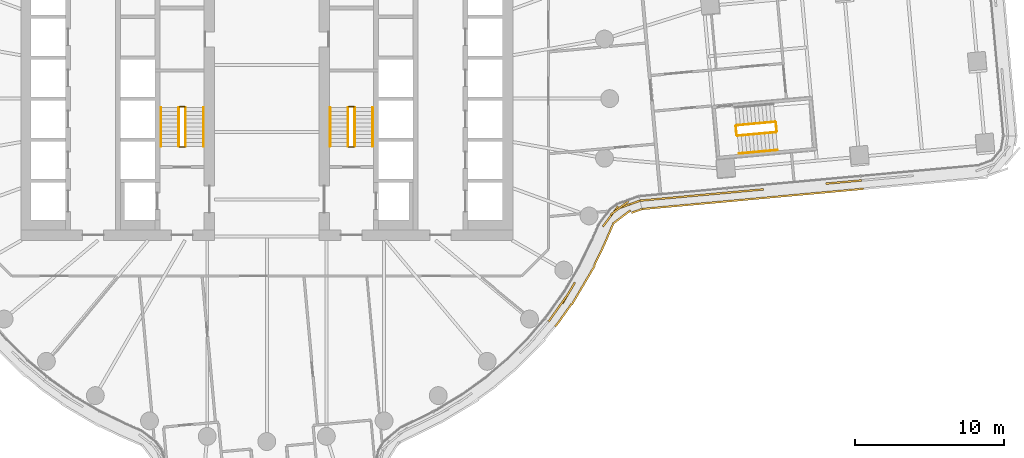
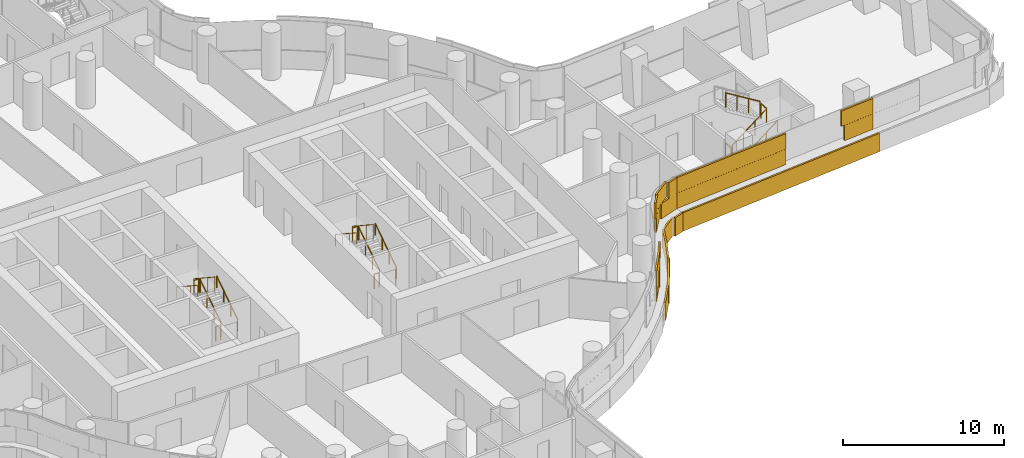
# One storey, part 28 of 31: 17 railings, 2 coverings.
"""IFC4 building model written with IfcOpenShell, lengths in metres."""

from ifc_helpers import new_model, si_unit, direction, frame, origin, origin_2d, place, context, subcontext, project, spatial, rectangle, circle, extrude, material, layer, layer_set, type_object, element, save


model = new_model("IFC4")

# Units and contexts
model_context = context("Model", 3, precision=1e-05, world=origin(), true_north=direction((0.0, 1.0)))
body_context = subcontext(model_context, "Body", "Model", "MODEL_VIEW")
ifc_project = project(units=[si_unit("LENGTHUNIT", "METRE"), si_unit("AREAUNIT", "SQUARE_METRE"), si_unit("VOLUMEUNIT", "CUBIC_METRE"), si_unit("PLANEANGLEUNIT", "RADIAN"), si_unit("MASSUNIT", "GRAM", prefix="KILO")], contexts=[model_context])

# Site, building, storey
site_placement = place(None, origin())
site = spatial("IfcSite", under=ifc_project, at=site_placement, CompositionType="ELEMENT")
building_placement = place(site_placement, origin())
building = spatial("IfcBuilding", under=site, at=building_placement, Name="Tamarind Cross Interchange Tower", CompositionType="ELEMENT")
storey_placement = place(building_placement, frame((0.0, 0.0, 52.75)))
storey = spatial("IfcBuildingStorey", under=building, at=storey_placement, Name="L11", CompositionType="ELEMENT", Elevation=52.75)

# Railings
ifc_material_1 = material(Name="Stair guard")
railing_type_1 = type_object("IfcRailingType", Name="Stair guard", PredefinedType="GUARDRAIL", material=ifc_material_1)
railing_1_placement = place(storey_placement, frame((-5.449951171875, -3.199951171875, 0.17041015625)))
element("IfcRailing", 1, at=railing_1_placement, inside=storey, type_object=railing_type_1, Name="L11 ST1 stair guard 1", PredefinedType="GUARDRAIL", context=body_context, shape_type="SweptSolid", body=[
    extrude(circle(Radius=0.02392578125, at=origin_2d()), frame((0.0, 0.0, 1.076171875), z_axis=(0.0, 0.836278606002, 0.548304744775), x_axis=(-1.0, 0.0, 0.0)), (0.0, 0.0, 1.0), 3.10888671875),
    extrude(circle(Radius=0.02099609375, at=origin_2d()), origin(), (0.0, 0.0, 1.0), 1.052001953125),
    extrude(circle(Radius=0.02099609375, at=origin_2d()), frame((0.0, 0.86669921875, 0.568115234375)), (0.0, 0.0, 1.0), 1.052001953125),
    extrude(circle(Radius=0.02099609375, at=origin_2d()), frame((0.0, 1.733154296875, 1.136474609375)), (0.0, 0.0, 1.0), 1.052001953125),
    extrude(circle(Radius=0.02099609375, at=origin_2d()), frame((0.0, 2.599853515625, 1.70458984375)), (0.0, 0.0, 1.0), 1.052001953125),
])
railing_2_placement = place(storey_placement, frame((-5.5, -0.550048828125, 1.875)))
element("IfcRailing", 2, at=railing_2_placement, inside=storey, type_object=railing_type_1, Name="L11 ST1 stair guard 2", PredefinedType="GUARDRAIL", context=body_context, shape_type="SweptSolid", body=[
    extrude(circle(Radius=0.02392578125, at=origin_2d()), frame((0.0, 0.0, 1.076171875), z_axis=(-1.0, 0.0, 0.0), x_axis=(0.0, -1.0, 0.0)), (0.0, 0.0, 1.0), 0.35009765625),
    extrude(circle(Radius=0.02099609375, at=origin_2d()), origin(), (0.0, 0.0, 1.0), 1.052001953125),
    extrude(circle(Radius=0.02099609375, at=origin_2d()), frame((-0.35009765625, 0.0, 0.0)), (0.0, 0.0, 1.0), 1.052001953125),
])
railing_3_placement = place(storey_placement, frame((-5.89990234375, -0.60009765625, 2.04541015625)))
element("IfcRailing", 3, at=railing_3_placement, inside=storey, type_object=railing_type_1, Name="L11 ST1 stair guard 3", PredefinedType="GUARDRAIL", context=body_context, shape_type="SweptSolid", body=[
    extrude(circle(Radius=0.02392578125, at=origin_2d()), frame((0.0, 0.0, 1.076171875), z_axis=(0.0, -0.836278606002, 0.548304744775), x_axis=(1.0, 0.0, 0.0)), (0.0, 0.0, 1.0), 3.10888671875),
    extrude(circle(Radius=0.02099609375, at=origin_2d()), origin(), (0.0, 0.0, 1.0), 1.052001953125),
    extrude(circle(Radius=0.02099609375, at=origin_2d()), frame((0.0, -0.86669921875, 0.568115234375)), (0.0, 0.0, 1.0), 1.052001953125),
    extrude(circle(Radius=0.02099609375, at=origin_2d()), frame((0.0, -1.733154296875, 1.136474609375)), (0.0, 0.0, 1.0), 1.052001953125),
    extrude(circle(Radius=0.02099609375, at=origin_2d()), frame((0.0, -2.599853515625, 1.70458984375)), (0.0, 0.0, 1.0), 1.052001953125),
])
railing_4_placement = place(storey_placement, frame((-5.5, -3.25, 0.0)))
element("IfcRailing", 4, at=railing_4_placement, inside=storey, type_object=railing_type_1, Name="L11 ST1 stair guard 4", PredefinedType="GUARDRAIL", context=body_context, shape_type="SweptSolid", body=[
    extrude(circle(Radius=0.02392578125, at=origin_2d()), frame((0.0, 0.0, 1.076171875), z_axis=(-1.0, 0.0, 0.0), x_axis=(0.0, -1.0, 0.0)), (0.0, 0.0, 1.0), 0.35009765625),
    extrude(circle(Radius=0.02099609375, at=origin_2d()), origin(), (0.0, 0.0, 1.0), 1.052001953125),
    extrude(circle(Radius=0.02099609375, at=origin_2d()), frame((-0.35009765625, 0.0, 0.0)), (0.0, 0.0, 1.0), 1.052001953125),
])
railing_5_placement = place(storey_placement, frame((5.89990234375, -3.199951171875, 0.17041015625)))
element("IfcRailing", 5, at=railing_5_placement, inside=storey, type_object=railing_type_1, Name="L11 ST2 stair guard 1", PredefinedType="GUARDRAIL", context=body_context, shape_type="SweptSolid", body=[
    extrude(circle(Radius=0.02392578125, at=origin_2d()), frame((0.0, 0.0, 1.076171875), z_axis=(0.0, 0.836278606002, 0.548304744775), x_axis=(-1.0, 0.0, 0.0)), (0.0, 0.0, 1.0), 3.10888671875),
    extrude(circle(Radius=0.02099609375, at=origin_2d()), origin(), (0.0, 0.0, 1.0), 1.052001953125),
    extrude(circle(Radius=0.02099609375, at=origin_2d()), frame((0.0, 0.86669921875, 0.568115234375)), (0.0, 0.0, 1.0), 1.052001953125),
    extrude(circle(Radius=0.02099609375, at=origin_2d()), frame((0.0, 1.733154296875, 1.136474609375)), (0.0, 0.0, 1.0), 1.052001953125),
    extrude(circle(Radius=0.02099609375, at=origin_2d()), frame((0.0, 2.599853515625, 1.70458984375)), (0.0, 0.0, 1.0), 1.052001953125),
])
railing_6_placement = place(storey_placement, frame((5.85009765625, -0.550048828125, 1.875)))
element("IfcRailing", 6, at=railing_6_placement, inside=storey, type_object=railing_type_1, Name="L11 ST2 stair guard 2", PredefinedType="GUARDRAIL", context=body_context, shape_type="SweptSolid", body=[
    extrude(circle(Radius=0.02392578125, at=origin_2d()), frame((0.0, 0.0, 1.076171875), z_axis=(-1.0, 0.0, 0.0), x_axis=(0.0, -1.0, 0.0)), (0.0, 0.0, 1.0), 0.35009765625),
    extrude(circle(Radius=0.02099609375, at=origin_2d()), origin(), (0.0, 0.0, 1.0), 1.052001953125),
    extrude(circle(Radius=0.02099609375, at=origin_2d()), frame((-0.35009765625, 0.0, 0.0)), (0.0, 0.0, 1.0), 1.052001953125),
])
railing_7_placement = place(storey_placement, frame((5.449951171875, -0.60009765625, 2.04541015625)))
element("IfcRailing", 7, at=railing_7_placement, inside=storey, type_object=railing_type_1, Name="L11 ST2 stair guard 3", PredefinedType="GUARDRAIL", context=body_context, shape_type="SweptSolid", body=[
    extrude(circle(Radius=0.02392578125, at=origin_2d()), frame((0.0, 0.0, 1.076171875), z_axis=(0.0, -0.836278606002, 0.548304744775), x_axis=(1.0, 0.0, 0.0)), (0.0, 0.0, 1.0), 3.10888671875),
    extrude(circle(Radius=0.02099609375, at=origin_2d()), origin(), (0.0, 0.0, 1.0), 1.052001953125),
    extrude(circle(Radius=0.02099609375, at=origin_2d()), frame((0.0, -0.86669921875, 0.568115234375)), (0.0, 0.0, 1.0), 1.052001953125),
    extrude(circle(Radius=0.02099609375, at=origin_2d()), frame((0.0, -1.733154296875, 1.136474609375)), (0.0, 0.0, 1.0), 1.052001953125),
    extrude(circle(Radius=0.02099609375, at=origin_2d()), frame((0.0, -2.599853515625, 1.70458984375)), (0.0, 0.0, 1.0), 1.052001953125),
])
railing_8_placement = place(storey_placement, frame((5.85009765625, -3.25, 0.0)))
element("IfcRailing", 8, at=railing_8_placement, inside=storey, type_object=railing_type_1, Name="L11 ST2 stair guard 4", PredefinedType="GUARDRAIL", context=body_context, shape_type="SweptSolid", body=[
    extrude(circle(Radius=0.02392578125, at=origin_2d()), frame((0.0, 0.0, 1.076171875), z_axis=(-1.0, 0.0, 0.0), x_axis=(0.0, -1.0, 0.0)), (0.0, 0.0, 1.0), 0.35009765625),
    extrude(circle(Radius=0.02099609375, at=origin_2d()), origin(), (0.0, 0.0, 1.0), 1.052001953125),
    extrude(circle(Radius=0.02099609375, at=origin_2d()), frame((-0.35009765625, 0.0, 0.0)), (0.0, 0.0, 1.0), 1.052001953125),
])
railing_9_placement = place(storey_placement, frame((31.56640625, -2.4892578125, 0.17041015625)))
element("IfcRailing", 9, at=railing_9_placement, inside=storey, type_object=railing_type_1, Name="L11 ST3 stair guard 1", PredefinedType="GUARDRAIL", context=body_context, shape_type="SweptSolid", body=[
    extrude(circle(Radius=0.02392578125, at=origin_2d()), frame((0.0, 0.0, 1.076171875), z_axis=(0.832813513811, 0.076095831672, 0.548298345443), x_axis=(-0.090992941047, 0.995851537469, 0.0)), (0.0, 0.0, 1.0), 3.10888671875),
    extrude(circle(Radius=0.02099609375, at=origin_2d()), origin(), (0.0, 0.0, 1.0), 1.052001953125),
    extrude(circle(Radius=0.02099609375, at=origin_2d()), frame((0.863037109375, 0.078857421875, 0.568115234375)), (0.0, 0.0, 1.0), 1.052001953125),
    extrude(circle(Radius=0.02099609375, at=origin_2d()), frame((1.72607421875, 0.15771484375, 1.136474609375)), (0.0, 0.0, 1.0), 1.052001953125),
    extrude(circle(Radius=0.02099609375, at=origin_2d()), frame((2.589111328125, 0.236572265625, 1.70458984375)), (0.0, 0.0, 1.0), 1.052001953125),
])
railing_10_placement = place(storey_placement, frame((34.200927734375, -2.1982421875, 1.875)))
element("IfcRailing", 10, at=railing_10_placement, inside=storey, type_object=railing_type_1, Name="L11 ST3 stair guard 2", PredefinedType="GUARDRAIL", context=body_context, shape_type="SweptSolid", body=[
    extrude(circle(Radius=0.02392578125, at=origin_2d()), frame((0.0, 0.0, 1.076171875), z_axis=(-0.09115951448, 0.995836303275, 0.0), x_axis=(-0.995836303275, -0.09115951448, 0.0)), (0.0, 0.0, 1.0), 0.599853515625),
    extrude(circle(Radius=0.02099609375, at=origin_2d()), origin(), (0.0, 0.0, 1.0), 1.052001953125),
    extrude(circle(Radius=0.02099609375, at=origin_2d()), frame((-0.0546875, 0.597412109375, 0.0)), (0.0, 0.0, 1.0), 1.052001953125),
])
railing_11_placement = place(storey_placement, frame((34.091796875, -1.555419921875, 2.04541015625)))
element("IfcRailing", 11, at=railing_11_placement, inside=storey, type_object=railing_type_1, Name="L11 ST3 stair guard 3", PredefinedType="GUARDRAIL", context=body_context, shape_type="SweptSolid", body=[
    extrude(circle(Radius=0.02392578125, at=origin_2d()), frame((0.0, 0.0, 1.076171875), z_axis=(-0.832808534539, -0.076173906507, 0.548295067247), x_axis=(0.091086066319, -0.995843024037, 0.0)), (0.0, 0.0, 1.0), 3.10888671875),
    extrude(circle(Radius=0.02099609375, at=origin_2d()), origin(), (0.0, 0.0, 1.0), 1.052001953125),
    extrude(circle(Radius=0.02099609375, at=origin_2d()), frame((-0.863037109375, -0.078857421875, 0.568115234375)), (0.0, 0.0, 1.0), 1.052001953125),
    extrude(circle(Radius=0.02099609375, at=origin_2d()), frame((-1.72607421875, -0.157958984375, 1.136474609375)), (0.0, 0.0, 1.0), 1.052001953125),
    extrude(circle(Radius=0.02099609375, at=origin_2d()), frame((-2.589111328125, -0.23681640625, 1.70458984375)), (0.0, 0.0, 1.0), 1.052001953125),
])
railing_12_placement = place(storey_placement, frame((31.511962890625, -2.444091796875, 0.0)))
element("IfcRailing", 12, at=railing_12_placement, inside=storey, type_object=railing_type_1, Name="L11 ST3 stair guard 4", PredefinedType="GUARDRAIL", context=body_context, shape_type="SweptSolid", body=[
    extrude(circle(Radius=0.02392578125, at=origin_2d()), frame((0.0, 0.0, 1.076171875), z_axis=(-0.090755911814, 0.995873166859, 0.0), x_axis=(-0.995873166859, -0.090755911814, 0.0)), (0.0, 0.0, 1.0), 0.599853515625),
    extrude(circle(Radius=0.02099609375, at=origin_2d()), origin(), (0.0, 0.0, 1.0), 1.052001953125),
    extrude(circle(Radius=0.02099609375, at=origin_2d()), frame((-0.054443359375, 0.597412109375, 0.0)), (0.0, 0.0, 1.0), 1.052001953125),
])
ifc_material_2 = material(Name="Stair handrail")
railing_type_2 = type_object("IfcRailingType", Name="Stair handrail", PredefinedType="HANDRAIL", material=ifc_material_2)
railing_13_placement = place(storey_placement, frame((-4.25, -3.199951171875, 0.17041015625)))
element("IfcRailing", 13, at=railing_13_placement, inside=storey, type_object=railing_type_2, Name="L11 ST1 stair handrail 1", PredefinedType="HANDRAIL", context=body_context, shape_type="SweptSolid", body=[
    extrude(circle(Radius=0.02392578125, at=origin_2d()), frame((0.0, 0.0, 0.8759765625), z_axis=(0.0, 0.836278606002, 0.548304744775), x_axis=(-1.0, 0.0, 0.0)), (0.0, 0.0, 1.0), 3.10888671875),
    extrude(circle(Radius=0.02099609375, at=origin_2d()), origin(), (0.0, 0.0, 1.0), 0.851806640625),
    extrude(circle(Radius=0.02099609375, at=origin_2d()), frame((0.0, 0.86669921875, 0.568115234375)), (0.0, 0.0, 1.0), 0.851806640625),
    extrude(circle(Radius=0.02099609375, at=origin_2d()), frame((0.0, 1.733154296875, 1.136474609375)), (0.0, 0.0, 1.0), 0.851806640625),
    extrude(circle(Radius=0.02099609375, at=origin_2d()), frame((0.0, 2.599853515625, 1.70458984375)), (0.0, 0.0, 1.0), 0.851806640625),
])
railing_14_placement = place(storey_placement, frame((-7.10009765625, -0.60009765625, 2.04541015625)))
element("IfcRailing", 14, at=railing_14_placement, inside=storey, type_object=railing_type_2, Name="L11 ST1 stair handrail 2", PredefinedType="HANDRAIL", context=body_context, shape_type="SweptSolid", body=[
    extrude(circle(Radius=0.02392578125, at=origin_2d()), frame((0.0, 0.0, 0.8759765625), z_axis=(0.0, -0.836278606002, 0.548304744775), x_axis=(1.0, 0.0, 0.0)), (0.0, 0.0, 1.0), 3.10888671875),
    extrude(circle(Radius=0.02099609375, at=origin_2d()), origin(), (0.0, 0.0, 1.0), 0.851806640625),
    extrude(circle(Radius=0.02099609375, at=origin_2d()), frame((0.0, -0.86669921875, 0.568115234375)), (0.0, 0.0, 1.0), 0.851806640625),
    extrude(circle(Radius=0.02099609375, at=origin_2d()), frame((0.0, -1.733154296875, 1.136474609375)), (0.0, 0.0, 1.0), 0.851806640625),
    extrude(circle(Radius=0.02099609375, at=origin_2d()), frame((0.0, -2.599853515625, 1.70458984375)), (0.0, 0.0, 1.0), 0.851806640625),
])
railing_15_placement = place(storey_placement, frame((7.10009765625, -3.199951171875, 0.17041015625)))
element("IfcRailing", 15, at=railing_15_placement, inside=storey, type_object=railing_type_2, Name="L11 ST2 stair handrail 1", PredefinedType="HANDRAIL", context=body_context, shape_type="SweptSolid", body=[
    extrude(circle(Radius=0.02392578125, at=origin_2d()), frame((0.0, 0.0, 0.8759765625), z_axis=(0.0, 0.836278606002, 0.548304744775), x_axis=(-1.0, 0.0, 0.0)), (0.0, 0.0, 1.0), 3.10888671875),
    extrude(circle(Radius=0.02099609375, at=origin_2d()), origin(), (0.0, 0.0, 1.0), 0.851806640625),
    extrude(circle(Radius=0.02099609375, at=origin_2d()), frame((0.0, 0.86669921875, 0.568115234375)), (0.0, 0.0, 1.0), 0.851806640625),
    extrude(circle(Radius=0.02099609375, at=origin_2d()), frame((0.0, 1.733154296875, 1.136474609375)), (0.0, 0.0, 1.0), 0.851806640625),
    extrude(circle(Radius=0.02099609375, at=origin_2d()), frame((0.0, 2.599853515625, 1.70458984375)), (0.0, 0.0, 1.0), 0.851806640625),
])
railing_16_placement = place(storey_placement, frame((4.25, -0.60009765625, 2.04541015625)))
element("IfcRailing", 16, at=railing_16_placement, inside=storey, type_object=railing_type_2, Name="L11 ST2 stair handrail 2", PredefinedType="HANDRAIL", context=body_context, shape_type="SweptSolid", body=[
    extrude(circle(Radius=0.02392578125, at=origin_2d()), frame((0.0, 0.0, 0.8759765625), z_axis=(0.0, -0.836278606002, 0.548304744775), x_axis=(1.0, 0.0, 0.0)), (0.0, 0.0, 1.0), 3.10888671875),
    extrude(circle(Radius=0.02099609375, at=origin_2d()), origin(), (0.0, 0.0, 1.0), 0.851806640625),
    extrude(circle(Radius=0.02099609375, at=origin_2d()), frame((0.0, -0.86669921875, 0.568115234375)), (0.0, 0.0, 1.0), 0.851806640625),
    extrude(circle(Radius=0.02099609375, at=origin_2d()), frame((0.0, -1.733154296875, 1.136474609375)), (0.0, 0.0, 1.0), 0.851806640625),
    extrude(circle(Radius=0.02099609375, at=origin_2d()), frame((0.0, -2.599853515625, 1.70458984375)), (0.0, 0.0, 1.0), 0.851806640625),
])
railing_17_placement = place(storey_placement, frame((31.675537109375, -3.684326171875, 0.17041015625)))
element("IfcRailing", 17, at=railing_17_placement, inside=storey, type_object=railing_type_2, Name="L11 ST3 stair handrail 1", PredefinedType="HANDRAIL", context=body_context, shape_type="SweptSolid", body=[
    extrude(circle(Radius=0.02392578125, at=origin_2d()), frame((0.0, 0.0, 0.8759765625), z_axis=(0.832832596061, 0.076168924965, 0.548259210418), x_axis=(-0.091077549399, 0.995843803011, 0.0)), (0.0, 0.0, 1.0), 3.109130859375),
    extrude(circle(Radius=0.02099609375, at=origin_2d()), origin(), (0.0, 0.0, 1.0), 0.851806640625),
    extrude(circle(Radius=0.02099609375, at=origin_2d()), frame((0.863037109375, 0.078857421875, 0.568115234375)), (0.0, 0.0, 1.0), 0.851806640625),
    extrude(circle(Radius=0.02099609375, at=origin_2d()), frame((1.726318359375, 0.157958984375, 1.136474609375)), (0.0, 0.0, 1.0), 0.851806640625),
    extrude(circle(Radius=0.02099609375, at=origin_2d()), frame((2.58935546875, 0.23681640625, 1.70458984375)), (0.0, 0.0, 1.0), 0.851806640625),
])

# Coverings
ifc_material_3 = material(Name="Terracotta", Category="masonry")
ifc_layer = layer(ifc_material_3, 0.1201171875)
ifc_layer_set = layer_set([ifc_layer], Name="Terracotta")
covering_type = type_object("IfcCoveringType", Name="Terracotta baguette screen unit", PredefinedType="MOLDING", material=ifc_layer_set)
covering_1_placement = place(storey_placement, origin())
element("IfcCovering", 18, at=covering_1_placement, inside=storey, type_object=covering_type, Name="SCR-L11-10-01", PredefinedType="MOLDING", context=body_context, shape_type="SweptSolid", body=[
    extrude(rectangle(XDim=0.04150390625, YDim=0.1201171875, at=origin_2d()), frame((18.89794921875, -14.91796875, 1.404052734375), z_axis=(0.0, 0.0, 1.0), x_axis=(0.643009266048, 0.765858396687, 0.0)), (0.0, 0.0, 1.0), 1.1669921875),
    extrude(rectangle(XDim=1.52001953125, YDim=0.1201171875, at=origin_2d()), frame((19.357666015625, -14.306396484375, 1.404052734375), z_axis=(0.0, 0.0, 1.0), x_axis=(0.577568978284, 0.816341886298, 0.0)), (0.0, 0.0, 1.0), 1.1669921875),
    extrude(rectangle(XDim=1.52001953125, YDim=0.1201171875, at=origin_2d()), frame((20.2236328125, -13.08154296875, 1.404052734375), z_axis=(0.0, 0.0, 1.0), x_axis=(0.508183308752, 0.861248933065, 0.0)), (0.0, 0.0, 1.0), 1.1669921875),
    extrude(rectangle(XDim=1.52001953125, YDim=0.1201171875, at=origin_2d()), frame((23.099365234375, -7.8369140625, 1.404052734375), z_axis=(0.0, 0.0, 1.0), x_axis=(0.604332746679, 0.796732032299, 0.0)), (0.0, 0.0, 1.0), 1.1669921875),
    extrude(rectangle(XDim=1.484619140625, YDim=0.1201171875, at=origin_2d()), frame((24.344970703125, -7.08935546875, 1.404052734375), z_axis=(0.0, 0.0, 1.0), x_axis=(0.941843785722, 0.336051012939, 0.0)), (0.0, 0.0, 1.0), 1.1669921875),
    extrude(rectangle(XDim=0.79150390625, YDim=0.1201171875, at=origin_2d()), frame((19.132080078125, -14.62548828125, 2.5791015625), z_axis=(0.0, 0.0, 1.0), x_axis=(0.577568978284, 0.816341886298, 0.0)), (0.0, 0.0, 1.0), 1.1669921875),
    extrude(rectangle(XDim=1.52001953125, YDim=0.1201171875, at=origin_2d()), frame((19.791015625, -13.694091796875, 2.5791015625), z_axis=(0.0, 0.0, 1.0), x_axis=(0.577568978284, 0.816341886298, 0.0)), (0.0, 0.0, 1.0), 1.1669921875),
    extrude(rectangle(XDim=0.881591796875, YDim=0.1201171875, at=origin_2d()), frame((20.445068359375, -12.706298828125, 2.5791015625), z_axis=(0.0, 0.0, 1.0), x_axis=(0.508183308752, 0.861248933065, 0.0)), (0.0, 0.0, 1.0), 1.1669921875),
    extrude(rectangle(XDim=0.9384765625, YDim=0.1201171875, at=origin_2d()), frame((22.81884765625, -8.206787109375, 2.5791015625), z_axis=(0.0, 0.0, 1.0), x_axis=(0.604332746679, 0.796732032299, 0.0)), (0.0, 0.0, 1.0), 1.1669921875),
    extrude(rectangle(XDim=1.52001953125, YDim=0.1201171875, at=origin_2d()), frame((23.651123046875, -7.33837890625, 2.5791015625), z_axis=(0.0, 0.0, 1.0), x_axis=(0.799117316205, 0.601175111711, 0.0)), (0.0, 0.0, 1.0), 1.1669921875),
    extrude(rectangle(XDim=0.734619140625, YDim=0.1201171875, at=origin_2d()), frame((24.6982421875, -6.96337890625, 2.5791015625), z_axis=(0.0, 0.0, 1.0), x_axis=(0.941843785722, 0.336051012939, 0.0)), (0.0, 0.0, 1.0), 1.1669921875),
    extrude(rectangle(XDim=0.38916015625, YDim=0.1201171875, at=origin_2d()), frame((19.46337890625, -15.13720703125, 0.00390625), z_axis=(0.0, 0.0, 1.0), x_axis=(0.643009266048, 0.765858396687, 0.0)), (0.0, 0.0, 1.0), 1.39208984375),
    extrude(rectangle(XDim=1.52001953125, YDim=0.1201171875, at=origin_2d()), frame((20.009521484375, -14.379150390625, 0.00390625), z_axis=(0.0, 0.0, 1.0), x_axis=(0.577568978284, 0.816341886298, 0.0)), (0.0, 0.0, 1.0), 1.39208984375),
    extrude(rectangle(XDim=1.52001953125, YDim=0.1201171875, at=origin_2d()), frame((20.85498046875, -13.14111328125, 0.00390625), z_axis=(0.0, 0.0, 1.0), x_axis=(0.508183308752, 0.861248933065, 0.0)), (0.0, 0.0, 1.0), 1.39208984375),
    extrude(rectangle(XDim=1.52001953125, YDim=0.1201171875, at=origin_2d()), frame((21.6171875, -11.849365234375, 0.00390625), z_axis=(0.0, 0.0, 1.0), x_axis=(0.508183308752, 0.861248933065, 0.0)), (0.0, 0.0, 1.0), 1.39208984375),
    extrude(rectangle(XDim=1.52001953125, YDim=0.1201171875, at=origin_2d()), frame((22.28759765625, -10.508056640625, 0.00390625), z_axis=(0.0, 0.0, 1.0), x_axis=(0.435326231914, 0.900272776334, 0.0)), (0.0, 0.0, 1.0), 1.39208984375),
    extrude(rectangle(XDim=1.52001953125, YDim=0.1201171875, at=origin_2d()), frame((22.91162109375, -9.14453125, 0.00390625), z_axis=(0.0, 0.0, 1.0), x_axis=(0.395969383896, 0.91826371322, 0.0)), (0.0, 0.0, 1.0), 1.39208984375),
    extrude(rectangle(XDim=1.52001953125, YDim=0.1201171875, at=origin_2d()), frame((23.793701171875, -7.94921875, 0.00390625), z_axis=(0.0, 0.0, 1.0), x_axis=(0.799117316205, 0.601175111711, 0.0)), (0.0, 0.0, 1.0), 1.39208984375),
    extrude(rectangle(XDim=0.740478515625, YDim=0.1201171875, at=origin_2d()), frame((24.815185546875, -7.531005859375, 0.00390625), z_axis=(0.0, 0.0, 1.0), x_axis=(0.941843785722, 0.336051012939, 0.0)), (0.0, 0.0, 1.0), 1.39208984375),
])
covering_2_placement = place(storey_placement, origin())
element("IfcCovering", 19, at=covering_2_placement, inside=storey, type_object=covering_type, Name="SCR-L11-11-00", PredefinedType="MOLDING", context=body_context, shape_type="SweptSolid", body=[
    extrude(rectangle(XDim=0.760009765625, YDim=0.1201171875, at=origin_2d()), frame((25.412841796875, -6.8076171875, 1.404052734375), z_axis=(0.0, 0.0, 1.0), x_axis=(0.995846347162, 0.091049727316, 0.0)), (0.0, 0.0, 1.0), 1.1669921875),
    extrude(rectangle(XDim=1.52001953125, YDim=0.1201171875, at=origin_2d()), frame((26.533203125, -6.705078125, 1.404052734375), z_axis=(0.0, 0.0, 1.0), x_axis=(0.995846347162, 0.091049727316, 0.0)), (0.0, 0.0, 1.0), 1.1669921875),
    extrude(rectangle(XDim=1.52001953125, YDim=0.1201171875, at=origin_2d()), frame((28.02685546875, -6.568603515625, 1.404052734375), z_axis=(0.0, 0.0, 1.0), x_axis=(0.995846347162, 0.091049727316, 0.0)), (0.0, 0.0, 1.0), 1.1669921875),
    extrude(rectangle(XDim=1.52001953125, YDim=0.1201171875, at=origin_2d()), frame((29.520751953125, -6.431884765625, 1.404052734375), z_axis=(0.0, 0.0, 1.0), x_axis=(0.995846347162, 0.091049727316, 0.0)), (0.0, 0.0, 1.0), 1.1669921875),
    extrude(rectangle(XDim=1.52001953125, YDim=0.1201171875, at=origin_2d()), frame((31.014404296875, -6.29541015625, 1.404052734375), z_axis=(0.0, 0.0, 1.0), x_axis=(0.995846347162, 0.091049727316, 0.0)), (0.0, 0.0, 1.0), 1.1669921875),
    extrude(rectangle(XDim=1.52001953125, YDim=0.1201171875, at=origin_2d()), frame((32.50830078125, -6.15869140625, 1.404052734375), z_axis=(0.0, 0.0, 1.0), x_axis=(0.995846347162, 0.091049727316, 0.0)), (0.0, 0.0, 1.0), 1.1669921875),
    extrude(rectangle(XDim=1.52001953125, YDim=0.1201171875, at=origin_2d()), frame((38.4833984375, -5.612548828125, 1.404052734375), z_axis=(0.0, 0.0, 1.0), x_axis=(0.995846347162, 0.091049727316, 0.0)), (0.0, 0.0, 1.0), 1.1669921875),
    extrude(rectangle(XDim=0.667724609375, YDim=0.1201171875, at=origin_2d()), frame((39.557861328125, -5.51416015625, 1.404052734375), z_axis=(0.0, 0.0, 1.0), x_axis=(0.995846347162, 0.091049727316, 0.0)), (0.0, 0.0, 1.0), 1.1669921875),
    extrude(rectangle(XDim=1.510009765625, YDim=0.1201171875, at=origin_2d()), frame((25.786376953125, -6.7734375, 2.5791015625), z_axis=(0.0, 0.0, 1.0), x_axis=(0.995846347162, 0.091049727316, 0.0)), (0.0, 0.0, 1.0), 1.1669921875),
    extrude(rectangle(XDim=1.52001953125, YDim=0.1201171875, at=origin_2d()), frame((27.280029296875, -6.63671875, 2.5791015625), z_axis=(0.0, 0.0, 1.0), x_axis=(0.995846347162, 0.091049727316, 0.0)), (0.0, 0.0, 1.0), 1.1669921875),
    extrude(rectangle(XDim=1.52001953125, YDim=0.1201171875, at=origin_2d()), frame((28.77392578125, -6.500244140625, 2.5791015625), z_axis=(0.0, 0.0, 1.0), x_axis=(0.995846347162, 0.091049727316, 0.0)), (0.0, 0.0, 1.0), 1.1669921875),
    extrude(rectangle(XDim=1.52001953125, YDim=0.1201171875, at=origin_2d()), frame((30.267578125, -6.36376953125, 2.5791015625), z_axis=(0.0, 0.0, 1.0), x_axis=(0.995846347162, 0.091049727316, 0.0)), (0.0, 0.0, 1.0), 1.1669921875),
    extrude(rectangle(XDim=1.52001953125, YDim=0.1201171875, at=origin_2d()), frame((31.761474609375, -6.22705078125, 2.5791015625), z_axis=(0.0, 0.0, 1.0), x_axis=(0.995846347162, 0.091049727316, 0.0)), (0.0, 0.0, 1.0), 1.1669921875),
    extrude(rectangle(XDim=0.81787109375, YDim=0.1201171875, at=origin_2d()), frame((32.910400390625, -6.1220703125, 2.5791015625), z_axis=(0.0, 0.0, 1.0), x_axis=(0.995846347162, 0.091049727316, 0.0)), (0.0, 0.0, 1.0), 1.1669921875),
    extrude(rectangle(XDim=1.002197265625, YDim=0.1201171875, at=origin_2d()), frame((37.9892578125, -5.65771484375, 2.5791015625), z_axis=(0.0, 0.0, 1.0), x_axis=(0.995846347162, 0.091049727316, 0.0)), (0.0, 0.0, 1.0), 1.1669921875),
    extrude(rectangle(XDim=1.417724609375, YDim=0.1201171875, at=origin_2d()), frame((39.184326171875, -5.54833984375, 2.5791015625), z_axis=(0.0, 0.0, 1.0), x_axis=(0.995846347162, 0.091049727316, 0.0)), (0.0, 0.0, 1.0), 1.1669921875),
    extrude(rectangle(XDim=0.760009765625, YDim=0.1201171875, at=origin_2d()), frame((25.54248046875, -7.3720703125, 0.00390625), z_axis=(0.0, 0.0, 1.0), x_axis=(0.995846347162, 0.091049727316, 0.0)), (0.0, 0.0, 1.0), 1.39208984375),
    extrude(rectangle(XDim=1.52001953125, YDim=0.1201171875, at=origin_2d()), frame((26.65771484375, -7.27001953125, 0.00390625), z_axis=(0.0, 0.0, 1.0), x_axis=(0.995846347162, 0.091049727316, 0.0)), (0.0, 0.0, 1.0), 1.39208984375),
    extrude(rectangle(XDim=1.52001953125, YDim=0.1201171875, at=origin_2d()), frame((28.1513671875, -7.133544921875, 0.00390625), z_axis=(0.0, 0.0, 1.0), x_axis=(0.995846347162, 0.091049727316, 0.0)), (0.0, 0.0, 1.0), 1.39208984375),
    extrude(rectangle(XDim=1.52001953125, YDim=0.1201171875, at=origin_2d()), frame((29.645263671875, -6.9970703125, 0.00390625), z_axis=(0.0, 0.0, 1.0), x_axis=(0.995846347162, 0.091049727316, 0.0)), (0.0, 0.0, 1.0), 1.39208984375),
    extrude(rectangle(XDim=1.52001953125, YDim=0.1201171875, at=origin_2d()), frame((31.138916015625, -6.8603515625, 0.00390625), z_axis=(0.0, 0.0, 1.0), x_axis=(0.995846347162, 0.091049727316, 0.0)), (0.0, 0.0, 1.0), 1.39208984375),
    extrude(rectangle(XDim=1.52001953125, YDim=0.1201171875, at=origin_2d()), frame((32.6328125, -6.723876953125, 0.00390625), z_axis=(0.0, 0.0, 1.0), x_axis=(0.995846347162, 0.091049727316, 0.0)), (0.0, 0.0, 1.0), 1.39208984375),
    extrude(rectangle(XDim=1.52001953125, YDim=0.1201171875, at=origin_2d()), frame((34.12646484375, -6.587158203125, 0.00390625), z_axis=(0.0, 0.0, 1.0), x_axis=(0.995846347162, 0.091049727316, 0.0)), (0.0, 0.0, 1.0), 1.39208984375),
    extrude(rectangle(XDim=1.52001953125, YDim=0.1201171875, at=origin_2d()), frame((35.620361328125, -6.45068359375, 0.00390625), z_axis=(0.0, 0.0, 1.0), x_axis=(0.995846347162, 0.091049727316, 0.0)), (0.0, 0.0, 1.0), 1.39208984375),
    extrude(rectangle(XDim=1.52001953125, YDim=0.1201171875, at=origin_2d()), frame((37.114013671875, -6.314208984375, 0.00390625), z_axis=(0.0, 0.0, 1.0), x_axis=(0.995846347162, 0.091049727316, 0.0)), (0.0, 0.0, 1.0), 1.39208984375),
    extrude(rectangle(XDim=1.52001953125, YDim=0.1201171875, at=origin_2d()), frame((38.60791015625, -6.177490234375, 0.00390625), z_axis=(0.0, 0.0, 1.0), x_axis=(0.995846347162, 0.091049727316, 0.0)), (0.0, 0.0, 1.0), 1.39208984375),
    extrude(rectangle(XDim=0.669677734375, YDim=0.1201171875, at=origin_2d()), frame((39.67822265625, -6.07958984375, 0.00390625), z_axis=(0.0, 0.0, 1.0), x_axis=(0.995846347162, 0.091049727316, 0.0)), (0.0, 0.0, 1.0), 1.39208984375),
])

save(model, "model.ifc")
